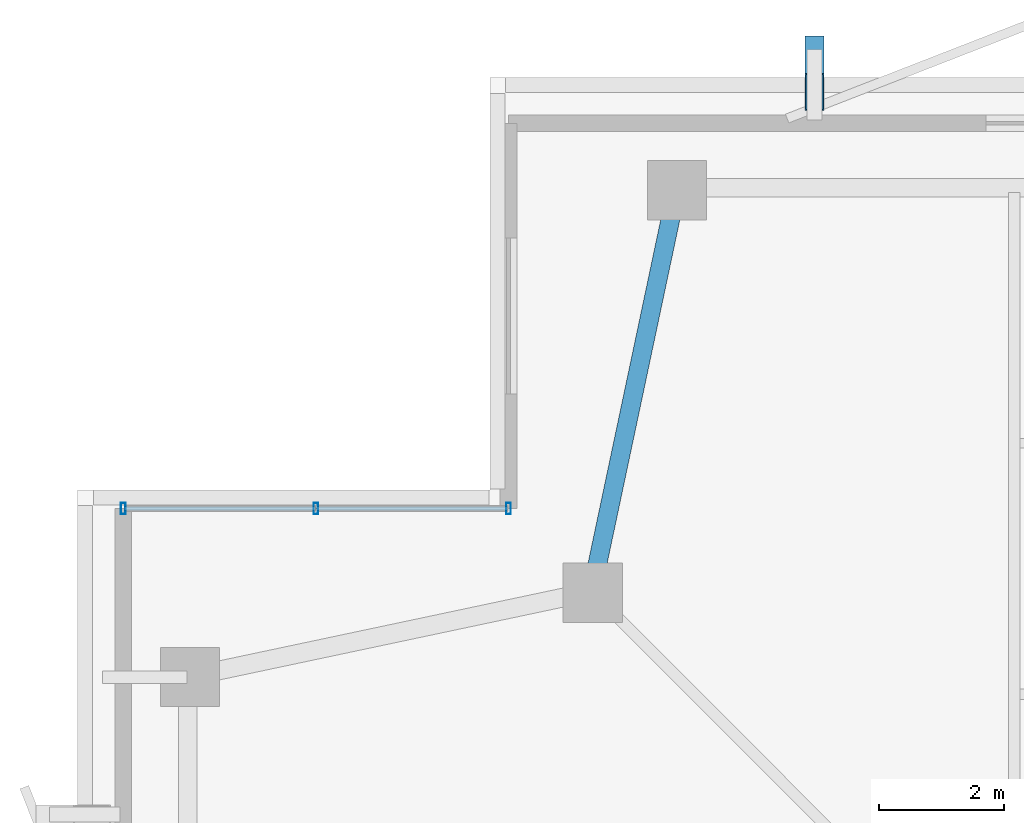
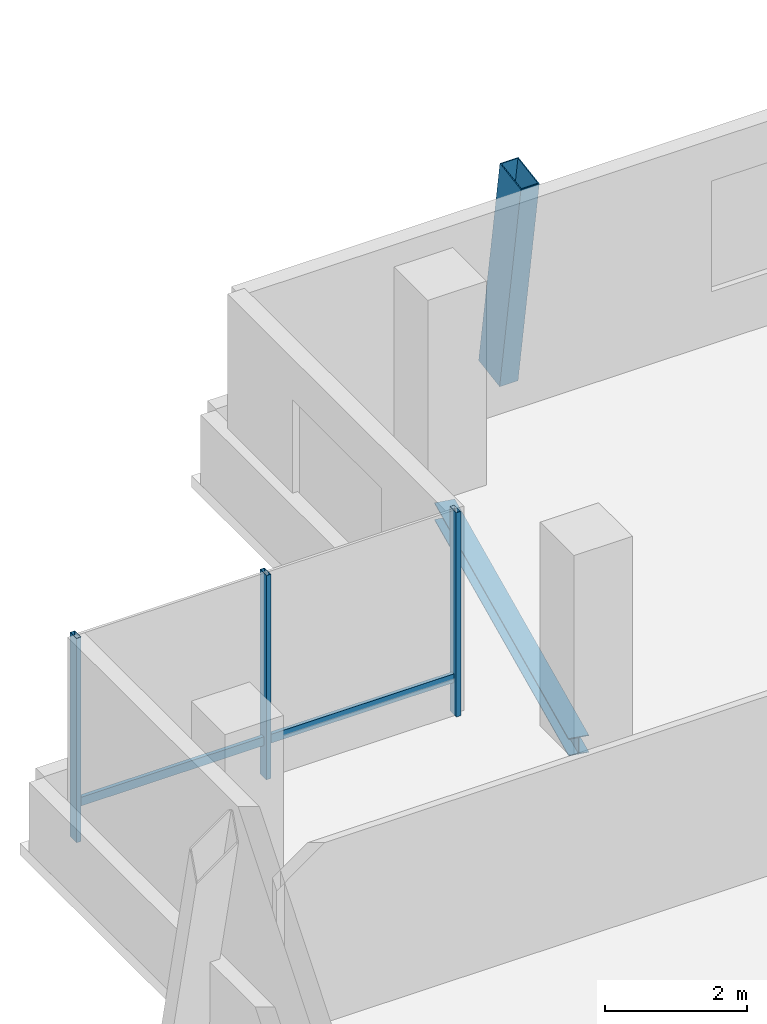
# One storey, part 14 of 26: 6 members, 1 beam, 1 element without a shape of its own.
"""IFC4 building model written with IfcOpenShell, lengths in metres."""

from ifc_helpers import new_model, si_unit, direction, frame, origin, origin_2d, place, context, subcontext, project, spatial, hollow_rectangle, i_section, extrude, material, layer, layer_set, material_profile, profile_set, type_object, element, aggregate, save


model = new_model("IFC4")

# Units and contexts
model_context = context("Model", 3, precision=1e-05, world=origin(), true_north=direction((0.0, 1.0)))
body_context = subcontext(model_context, "Body", "Model", "MODEL_VIEW")
ifc_project = project(units=[si_unit("LENGTHUNIT", "METRE"), si_unit("AREAUNIT", "SQUARE_METRE"), si_unit("VOLUMEUNIT", "CUBIC_METRE"), si_unit("PLANEANGLEUNIT", "RADIAN"), si_unit("MASSUNIT", "GRAM", prefix="KILO")], contexts=[model_context])

# Site, building, storey
site_placement = place(None, origin())
site = spatial("IfcSite", under=ifc_project, at=site_placement, CompositionType="ELEMENT")
building_placement = place(site_placement, origin())
building = spatial("IfcBuilding", under=site, at=building_placement, Name="Belovzor Exchange Tower", CompositionType="ELEMENT")
storey_placement = place(building_placement, frame((0.0, 0.0, 295.5)))
storey = spatial("IfcBuildingStorey", under=building, at=storey_placement, Name="L73", CompositionType="ELEMENT", Elevation=295.5)

# Curtain wall, members
ifc_material_1 = material(Name="Anodised Aluminium Framing", Category="aluminium")
ifc_layer = layer(ifc_material_1, 0.195068359375)
ifc_layer_set = layer_set([ifc_layer], Name="Anodised Aluminium Framing")
curtain_wall_type = type_object("IfcCurtainWallType", Name="Notched Re-Entrant Corner Unitised Curtain Wall", PredefinedType="NOTDEFINED", material=ifc_layer_set)
curtain_wall_placement = place(storey_placement, origin())
curtain_wall = element("IfcCurtainWall", 1, at=curtain_wall_placement, inside=storey, type_object=curtain_wall_type, Name="CW5 Notched Re-Entrant Corner Unitised Curtain Wall L73", PredefinedType="NOTDEFINED")
ifc_material_2 = material(Name="Steel S355", Category="steel")
ifc_material_profile_1 = material_profile(ifc_material_2, hollow_rectangle(XDim=0.074951171875, YDim=0.179931640625, WallThickness=0.0048828125, at=origin_2d()))
ifc_profile_set_1 = profile_set([ifc_material_profile_1], Name="Steel S355")
member_type_1 = type_object("IfcMemberType", Name="Thermally Broken Curtain Wall Mullion 180x75", PredefinedType="MULLION", material=ifc_profile_set_1)
member_1_placement = place(storey_placement, frame((6.1298828125, 45.300048828125, 0.0), z_axis=(0.0, 0.0, 1.0), x_axis=(1.0, 0.0, 0.0)))
member_1 = element("IfcMember", 2, at=member_1_placement, type_object=member_type_1, Name="CW-M180 Curtain Wall Mullion 1", PredefinedType="MULLION", context=body_context, shape_type="SweptSolid", body=[
    extrude(hollow_rectangle(XDim=0.074951171875, YDim=0.179931640625, WallThickness=0.0048828125, at=origin_2d()), origin(), (0.0, 0.0, 1.0), 3.510009765625),
])
member_2_placement = place(storey_placement, frame((9.215087890625, 45.300048828125, 0.0), z_axis=(0.0, 0.0, 1.0), x_axis=(1.0, 0.0, 0.0)))
member_2 = element("IfcMember", 3, at=member_2_placement, type_object=member_type_1, Name="CW-M180 Curtain Wall Mullion 2", PredefinedType="MULLION", context=body_context, shape_type="SweptSolid", body=[
    extrude(hollow_rectangle(XDim=0.074951171875, YDim=0.179931640625, WallThickness=0.0048828125, at=origin_2d()), origin(), (0.0, 0.0, 1.0), 3.510009765625),
])
member_3_placement = place(storey_placement, frame((12.300048828125, 45.300048828125, 0.0), z_axis=(0.0, 0.0, 1.0), x_axis=(1.0, 0.0, 0.0)))
member_3 = element("IfcMember", 4, at=member_3_placement, type_object=member_type_1, Name="CW-M180 Curtain Wall Mullion 3", PredefinedType="MULLION", context=body_context, shape_type="SweptSolid", body=[
    extrude(hollow_rectangle(XDim=0.074951171875, YDim=0.179931640625, WallThickness=0.0048828125, at=origin_2d()), origin(), (0.0, 0.0, 1.0), 3.510009765625),
])
ifc_material_3 = material(Name="Steel S355", Category="steel")
ifc_material_profile_2 = material_profile(ifc_material_3, hollow_rectangle(XDim=0.06005859375, YDim=0.14990234375, WallThickness=0.00390625, at=origin_2d()))
ifc_profile_set_2 = profile_set([ifc_material_profile_2], Name="Steel S355")
member_type_2 = type_object("IfcMemberType", Name="Thermally Broken Curtain Wall Transom 150x60", PredefinedType="USERDEFINED", material=ifc_profile_set_2)
member_4_placement = place(storey_placement, frame((6.137939453125, 45.300048828125, 0.632080078125), z_axis=(1.0, 0.0, 0.0), x_axis=(0.0, 1.0, 0.0)))
member_4 = element("IfcMember", 5, at=member_4_placement, type_object=member_type_2, Name="CW-T150 Curtain Wall Transom 1", ObjectType="TRANSOM", PredefinedType="USERDEFINED", context=body_context, shape_type="SweptSolid", body=[
    extrude(hollow_rectangle(XDim=0.06005859375, YDim=0.14990234375, WallThickness=0.00390625, at=origin_2d()), origin(), (0.0, 0.0, 1.0), 3.069091796875),
])
member_5_placement = place(storey_placement, frame((9.222900390625, 45.300048828125, 0.632080078125), z_axis=(1.0, 0.0, 0.0), x_axis=(0.0, 1.0, 0.0)))
member_5 = element("IfcMember", 6, at=member_5_placement, type_object=member_type_2, Name="CW-T150 Curtain Wall Transom 2", ObjectType="TRANSOM", PredefinedType="USERDEFINED", context=body_context, shape_type="SweptSolid", body=[
    extrude(hollow_rectangle(XDim=0.06005859375, YDim=0.14990234375, WallThickness=0.00390625, at=origin_2d()), origin(), (0.0, 0.0, 1.0), 3.069091796875),
])
aggregate(curtain_wall, [member_1, member_2, member_3, member_4, member_5])

# Member
ifc_material_4 = material(Name="Extruded Architectural Terracotta on Steel S355 Carrier", Category="masonry")
ifc_material_profile_3 = material_profile(ifc_material_4, hollow_rectangle(XDim=0.300048828125, YDim=0.60009765625, WallThickness=0.01611328125, at=origin_2d()))
ifc_profile_set_3 = profile_set([ifc_material_profile_3], Name="Extruded Architectural Terracotta on Steel S355 Carrier")
member_type_3 = type_object("IfcMemberType", Name="Upper Crown Terracotta Fin Assembly 550", PredefinedType="USERDEFINED", material=ifc_profile_set_3)
member_6_placement = place(storey_placement, frame((17.199951171875, 52.574951171875, -0.239990234375), z_axis=(0.0, -0.157952891656, 0.987446648694), x_axis=(1.0, 0.0, 0.0)))
element("IfcMember", 7, at=member_6_placement, inside=storey, type_object=member_type_3, Name="FIN-TC055 Terracotta Facade Fin L73 N1", ObjectType="FIN", PredefinedType="USERDEFINED", context=body_context, shape_type="SweptSolid", body=[
    extrude(hollow_rectangle(XDim=0.300048828125, YDim=0.60009765625, WallThickness=0.01611328125, at=origin_2d()), origin(), (0.0, 0.0, 1.0), 3.797607421875),
])

# Beam
ifc_material_5 = material(Name="Steel S355", Category="steel")
ifc_material_profile_4 = material_profile(ifc_material_5, i_section(OverallWidth=0.300048828125, OverallDepth=0.300048828125, WebThickness=0.008544921875, FlangeThickness=0.013916015625, at=origin_2d()))
ifc_profile_set_4 = profile_set([ifc_material_profile_4], Name="Steel S355")
beam_type = type_object("IfcBeamType", Name="Zone 6 Primary Girder HEA 300", PredefinedType="BEAM", material=ifc_profile_set_4)
beam_placement = place(storey_placement, frame((14.946044921875, 50.18310546875, -0.389892578125), z_axis=(-0.207091435359, -0.978321592014, 0.0), x_axis=(0.978321592014, -0.207091435359, 0.0)))
element("IfcBeam", 8, at=beam_placement, inside=storey, type_object=beam_type, Name="FG-Z6 Zone 6 Primary Girder HEA 300", PredefinedType="BEAM", context=body_context, shape_type="SweptSolid", body=[
    extrude(i_section(OverallWidth=0.300048828125, OverallDepth=0.300048828125, WebThickness=0.008544921875, FlangeThickness=0.013916015625, at=origin_2d()), origin(), (0.0, 0.0, 1.0), 6.089111328125),
])

save(model, "model.ifc")
